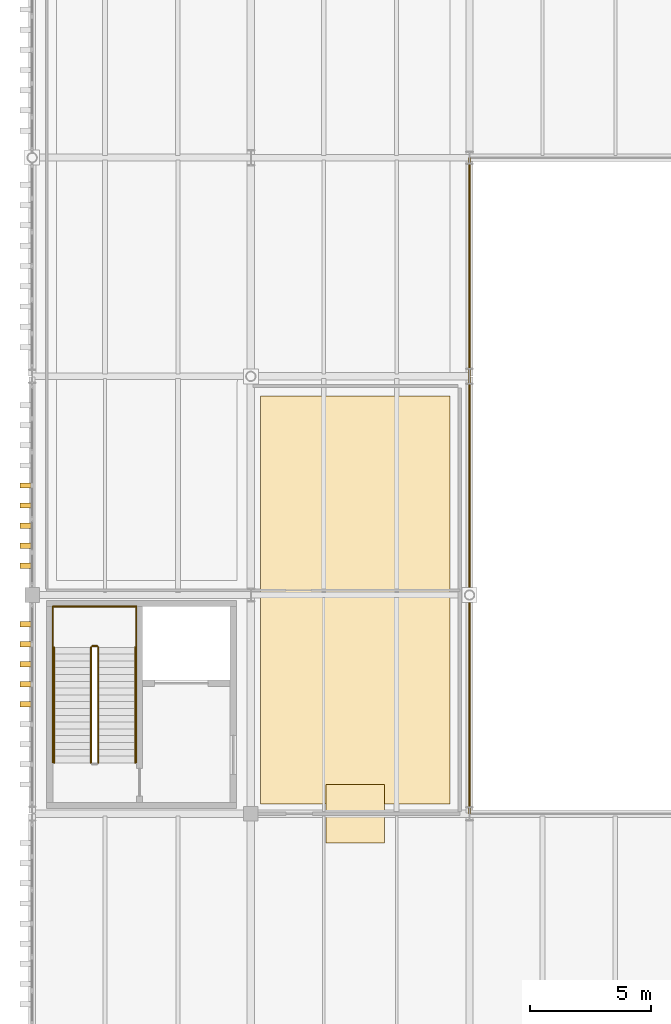
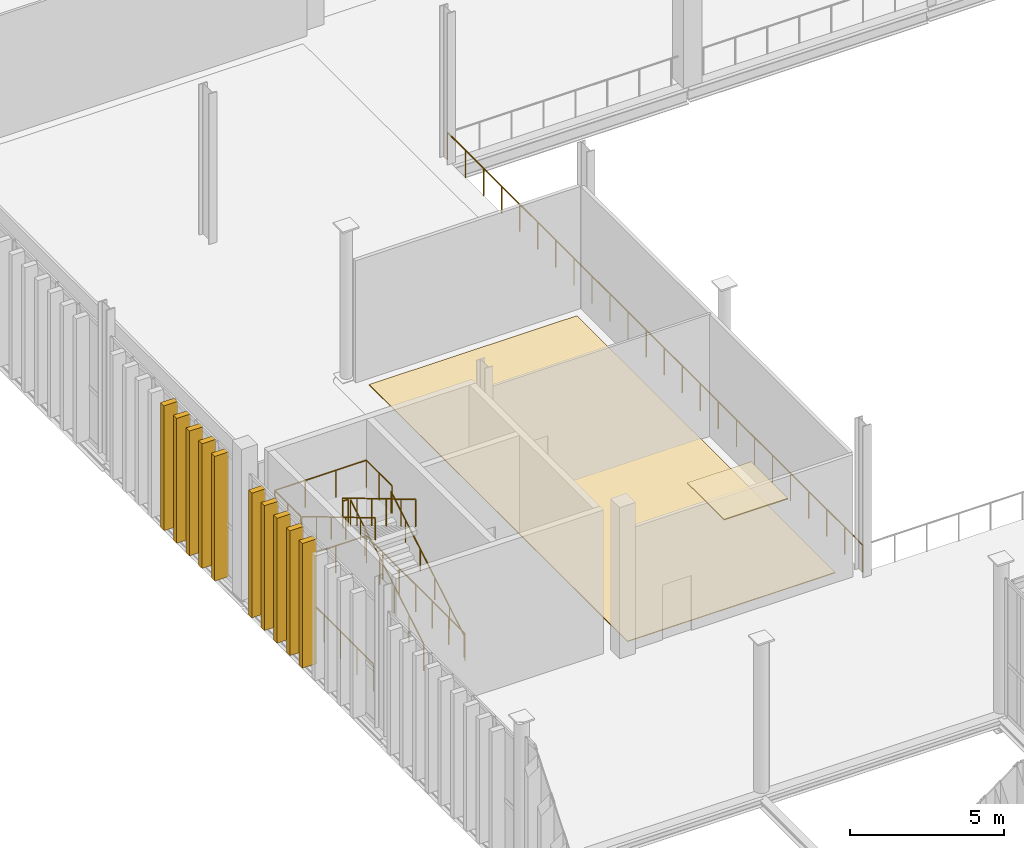
# One storey, part 187 of 211: 12 railings, 10 shading devices, 2 coverings.
"""IFC4 building model written with IfcOpenShell, lengths in metres."""

from ifc_helpers import new_model, si_unit, direction, frame, origin, origin_2d, place, context, subcontext, project, spatial, polyline, rectangle, circle, outline, extrude, material, layer, layer_set, type_object, element, save


model = new_model("IFC4")

# Units and contexts
model_context = context("Model", 3, precision=1e-05, world=origin(), true_north=direction((0.0, 1.0)))
body_context = subcontext(model_context, "Body", "Model", "MODEL_VIEW")
ifc_project = project(units=[si_unit("LENGTHUNIT", "METRE"), si_unit("AREAUNIT", "SQUARE_METRE"), si_unit("VOLUMEUNIT", "CUBIC_METRE"), si_unit("PLANEANGLEUNIT", "RADIAN"), si_unit("MASSUNIT", "GRAM", prefix="KILO")], contexts=[model_context])

# Site, building, storey
site_placement = place(None, origin())
site = spatial("IfcSite", under=ifc_project, at=site_placement, CompositionType="ELEMENT")
building_placement = place(site_placement, origin())
building = spatial("IfcBuilding", under=site, at=building_placement, Name="Barlavento Convention Centre", CompositionType="ELEMENT")
storey_placement = place(building_placement, frame((0.0, 0.0, 6.0)))
storey = spatial("IfcBuildingStorey", under=building, at=storey_placement, Name="L01", CompositionType="ELEMENT", Elevation=6.0)

# Coverings
ifc_material_1 = material(Name="Perforated mineral-fibre acoustic board")
ifc_layer_1 = layer(ifc_material_1, 0.0400390625)
ifc_layer_set_1 = layer_set([ifc_layer_1], Name="ARC-COV-CEIL-ACOU")
covering_type_1 = type_object("IfcCoveringType", Name="ARC-COV-CEIL-ACOU", PredefinedType="CEILING", material=ifc_layer_set_1)
covering_1_placement = place(storey_placement, frame((0.0, 0.0, 4.85009765625)))
element("IfcCovering", 1, at=covering_1_placement, inside=storey, type_object=covering_type_1, Name="L01 acoustic ceiling panel", PredefinedType="CEILING", context=body_context, shape_type="SweptSolid", body=[
    extrude(outline(polyline([(12.10009765625, 16.800048828125), (14.5, 16.800048828125), (14.5, 19.199951171875), (12.10009765625, 19.199951171875), (12.10009765625, 16.800048828125)])), origin(), (0.0, 0.0, 1.0), 0.039794921875),
])
ifc_material_2 = material(Name="Honed granite concourse stone flooring", Category="masonry")
ifc_layer_2 = layer(ifc_material_2, 0.030029296875)
ifc_layer_set_2 = layer_set([ifc_layer_2], Name="ARC-COV-FLR-STONE")
covering_type_2 = type_object("IfcCoveringType", Name="ARC-COV-FLR-STONE", PredefinedType="FLOORING", material=ifc_layer_set_2)
covering_2_placement = place(storey_placement, origin())
element("IfcCovering", 2, at=covering_2_placement, inside=storey, type_object=covering_type_2, Name="L01 honed stone floor finish", PredefinedType="FLOORING", context=body_context, shape_type="SweptSolid", body=[
    extrude(outline(polyline([(17.199951171875, 18.39990234375), (9.39990234375, 18.39990234375), (9.39990234375, 35.199951171875), (17.199951171875, 35.199951171875), (17.199951171875, 18.39990234375)])), origin(), (0.0, 0.0, 1.0), 0.030029296875),
])

# Railings
ifc_material_3 = material(Name="Stainless steel and laminated glass balustrade", Category="steel")
railing_type_1 = type_object("IfcRailingType", Name="ARC-RAL-BAL-1100", PredefinedType="BALUSTRADE", material=ifc_material_3)
railing_1_placement = place(storey_placement, frame((2.719970703125, 20.090087890625, 0.166748046875)))
element("IfcRailing", 3, at=railing_1_placement, inside=storey, type_object=railing_type_1, Name="L01 ST01 stair guard 1", PredefinedType="BALUSTRADE", context=body_context, shape_type="SweptSolid", body=[
    extrude(circle(Radius=0.02392578125, at=origin_2d()), frame((0.0, 0.0, 1.076171875), z_axis=(0.0, 0.859299802514, 0.511472237174), x_axis=(-1.0, 0.0, 0.0)), (0.0, 0.0, 1.0), 5.539306640625),
    extrude(circle(Radius=0.02099609375, at=origin_2d()), origin(), (0.0, 0.0, 1.0), 1.052001953125),
    extrude(circle(Radius=0.02099609375, at=origin_2d()), frame((0.0, 0.951904296875, 0.566650390625)), (0.0, 0.0, 1.0), 1.052001953125),
    extrude(circle(Radius=0.02099609375, at=origin_2d()), frame((0.0, 1.904052734375, 1.13330078125)), (0.0, 0.0, 1.0), 1.052001953125),
    extrude(circle(Radius=0.02099609375, at=origin_2d()), frame((0.0, 2.85595703125, 1.699951171875)), (0.0, 0.0, 1.0), 1.052001953125),
    extrude(circle(Radius=0.02099609375, at=origin_2d()), frame((0.0, 3.80810546875, 2.2666015625)), (0.0, 0.0, 1.0), 1.052001953125),
    extrude(circle(Radius=0.02099609375, at=origin_2d()), frame((0.0, 4.760009765625, 2.833251953125)), (0.0, 0.0, 1.0), 1.052001953125),
])
railing_2_placement = place(storey_placement, frame((2.669921875, 24.89990234375, 3.0)))
element("IfcRailing", 4, at=railing_2_placement, inside=storey, type_object=railing_type_1, Name="L01 ST01 stair guard 2", PredefinedType="BALUSTRADE", context=body_context, shape_type="SweptSolid", body=[
    extrude(circle(Radius=0.02392578125, at=origin_2d()), frame((0.0, 0.0, 1.076171875), z_axis=(-1.0, 0.0, 0.0), x_axis=(0.0, -1.0, 0.0)), (0.0, 0.0, 1.0), 0.199951171875),
    extrude(circle(Radius=0.02099609375, at=origin_2d()), origin(), (0.0, 0.0, 1.0), 1.052001953125),
    extrude(circle(Radius=0.02099609375, at=origin_2d()), frame((-0.199951171875, 0.0, 0.0)), (0.0, 0.0, 1.0), 1.052001953125),
])
railing_3_placement = place(storey_placement, frame((2.419921875, 24.85009765625, 3.166748046875)))
element("IfcRailing", 5, at=railing_3_placement, inside=storey, type_object=railing_type_1, Name="L01 ST01 stair guard 3", PredefinedType="BALUSTRADE", context=body_context, shape_type="SweptSolid", body=[
    extrude(circle(Radius=0.02392578125, at=origin_2d()), frame((0.0, 0.0, 1.076171875), z_axis=(0.0, -0.859299802514, 0.511472237174), x_axis=(1.0, 0.0, 0.0)), (0.0, 0.0, 1.0), 5.539306640625),
    extrude(circle(Radius=0.02099609375, at=origin_2d()), origin(), (0.0, 0.0, 1.0), 1.052001953125),
    extrude(circle(Radius=0.02099609375, at=origin_2d()), frame((0.0, -0.951904296875, 0.566650390625)), (0.0, 0.0, 1.0), 1.052001953125),
    extrude(circle(Radius=0.02099609375, at=origin_2d()), frame((0.0, -1.904052734375, 1.13330078125)), (0.0, 0.0, 1.0), 1.052001953125),
    extrude(circle(Radius=0.02099609375, at=origin_2d()), frame((0.0, -2.85595703125, 1.699951171875)), (0.0, 0.0, 1.0), 1.052001953125),
    extrude(circle(Radius=0.02099609375, at=origin_2d()), frame((0.0, -3.80810546875, 2.2666015625)), (0.0, 0.0, 1.0), 1.052001953125),
    extrude(circle(Radius=0.02099609375, at=origin_2d()), frame((0.0, -4.760009765625, 2.833251953125)), (0.0, 0.0, 1.0), 1.052001953125),
])
for number, where, name in (
    (6, (4.2900390625, 24.85009765625, 3.0), "L01 landing guard GR01"),
    (7, (0.85009765625, 24.85009765625, 3.0), "L01 landing guard GR01"),
):
    element("IfcRailing", number, at=place(storey_placement, frame(where)), inside=storey, type_object=railing_type_1, Name=name, PredefinedType="BALUSTRADE", context=body_context, shape_type="SweptSolid", body=[
        extrude(circle(Radius=0.02392578125, at=origin_2d()), frame((0.0, 0.0, 1.076171875), z_axis=(0.0, 1.0, 0.0), x_axis=(-1.0, 0.0, 0.0)), (0.0, 0.0, 1.0), 1.679931640625),
        extrude(circle(Radius=0.02099609375, at=origin_2d()), origin(), (0.0, 0.0, 1.0), 1.052001953125),
        extrude(circle(Radius=0.02099609375, at=origin_2d()), frame((0.0, 0.83984375, 0.0)), (0.0, 0.0, 1.0), 1.052001953125),
        extrude(circle(Radius=0.02099609375, at=origin_2d()), frame((0.0, 1.679931640625, 0.0)), (0.0, 0.0, 1.0), 1.052001953125),
    ])
railing_4_placement = place(storey_placement, frame((4.2900390625, 26.530029296875, 3.0)))
element("IfcRailing", 8, at=railing_4_placement, inside=storey, type_object=railing_type_1, Name="L01 landing guard GR01", PredefinedType="BALUSTRADE", context=body_context, shape_type="SweptSolid", body=[
    extrude(circle(Radius=0.02392578125, at=origin_2d()), frame((0.0, 0.0, 1.076171875), z_axis=(-1.0, 0.0, 0.0), x_axis=(0.0, -1.0, 0.0)), (0.0, 0.0, 1.0), 3.43994140625),
    extrude(circle(Radius=0.02099609375, at=origin_2d()), origin(), (0.0, 0.0, 1.0), 1.052001953125),
    extrude(circle(Radius=0.02099609375, at=origin_2d()), frame((-1.146728515625, 0.0, 0.0)), (0.0, 0.0, 1.0), 1.052001953125),
    extrude(circle(Radius=0.02099609375, at=origin_2d()), frame((-2.293212890625, 0.0, 0.0)), (0.0, 0.0, 1.0), 1.052001953125),
    extrude(circle(Radius=0.02099609375, at=origin_2d()), frame((-3.43994140625, 0.0, 0.0)), (0.0, 0.0, 1.0), 1.052001953125),
])
railing_5_placement = place(storey_placement, frame((4.2900390625, 20.114990234375, 0.0)))
element("IfcRailing", 9, at=railing_5_placement, inside=storey, type_object=railing_type_1, Name="L01 stairwell perimeter guard GR01", PredefinedType="BALUSTRADE", context=body_context, shape_type="SweptSolid", body=[
    extrude(circle(Radius=0.02392578125, at=origin_2d()), frame((0.0, 0.0, 1.076171875), z_axis=(0.0, 1.0, 0.0), x_axis=(-1.0, 0.0, 0.0)), (0.0, 0.0, 1.0), 6.4150390625),
    extrude(circle(Radius=0.02099609375, at=origin_2d()), origin(), (0.0, 0.0, 1.0), 1.052001953125),
    extrude(circle(Radius=0.02099609375, at=origin_2d()), frame((0.0, 1.069091796875, 0.0)), (0.0, 0.0, 1.0), 1.052001953125),
    extrude(circle(Radius=0.02099609375, at=origin_2d()), frame((0.0, 2.138427734375, 0.0)), (0.0, 0.0, 1.0), 1.052001953125),
    extrude(circle(Radius=0.02099609375, at=origin_2d()), frame((0.0, 3.20751953125, 0.0)), (0.0, 0.0, 1.0), 1.052001953125),
    extrude(circle(Radius=0.02099609375, at=origin_2d()), frame((0.0, 4.276611328125, 0.0)), (0.0, 0.0, 1.0), 1.052001953125),
    extrude(circle(Radius=0.02099609375, at=origin_2d()), frame((0.0, 5.345947265625, 0.0)), (0.0, 0.0, 1.0), 1.052001953125),
    extrude(circle(Radius=0.02099609375, at=origin_2d()), frame((0.0, 6.4150390625, 0.0)), (0.0, 0.0, 1.0), 1.052001953125),
])
railing_6_placement = place(storey_placement, frame((4.2900390625, 26.530029296875, 0.0)))
element("IfcRailing", 10, at=railing_6_placement, inside=storey, type_object=railing_type_1, Name="L01 stairwell perimeter guard GR01", PredefinedType="BALUSTRADE", context=body_context, shape_type="SweptSolid", body=[
    extrude(circle(Radius=0.02392578125, at=origin_2d()), frame((0.0, 0.0, 1.076171875), z_axis=(-1.0, 0.0, 0.0), x_axis=(0.0, -1.0, 0.0)), (0.0, 0.0, 1.0), 3.43994140625),
    extrude(circle(Radius=0.02099609375, at=origin_2d()), origin(), (0.0, 0.0, 1.0), 1.052001953125),
    extrude(circle(Radius=0.02099609375, at=origin_2d()), frame((-1.146728515625, 0.0, 0.0)), (0.0, 0.0, 1.0), 1.052001953125),
    extrude(circle(Radius=0.02099609375, at=origin_2d()), frame((-2.293212890625, 0.0, 0.0)), (0.0, 0.0, 1.0), 1.052001953125),
    extrude(circle(Radius=0.02099609375, at=origin_2d()), frame((-3.43994140625, 0.0, 0.0)), (0.0, 0.0, 1.0), 1.052001953125),
])
railing_7_placement = place(storey_placement, frame((0.85009765625, 26.530029296875, 0.0)))
element("IfcRailing", 11, at=railing_7_placement, inside=storey, type_object=railing_type_1, Name="L01 stairwell perimeter guard GR01", PredefinedType="BALUSTRADE", context=body_context, shape_type="SweptSolid", body=[
    extrude(circle(Radius=0.02392578125, at=origin_2d()), frame((0.0, 0.0, 1.076171875), z_axis=(0.0, -1.0, 0.0), x_axis=(1.0, 0.0, 0.0)), (0.0, 0.0, 1.0), 6.4150390625),
    extrude(circle(Radius=0.02099609375, at=origin_2d()), origin(), (0.0, 0.0, 1.0), 1.052001953125),
    extrude(circle(Radius=0.02099609375, at=origin_2d()), frame((0.0, -1.069091796875, 0.0)), (0.0, 0.0, 1.0), 1.052001953125),
    extrude(circle(Radius=0.02099609375, at=origin_2d()), frame((0.0, -2.138427734375, 0.0)), (0.0, 0.0, 1.0), 1.052001953125),
    extrude(circle(Radius=0.02099609375, at=origin_2d()), frame((0.0, -3.20751953125, 0.0)), (0.0, 0.0, 1.0), 1.052001953125),
    extrude(circle(Radius=0.02099609375, at=origin_2d()), frame((0.0, -4.276611328125, 0.0)), (0.0, 0.0, 1.0), 1.052001953125),
    extrude(circle(Radius=0.02099609375, at=origin_2d()), frame((0.0, -5.345947265625, 0.0)), (0.0, 0.0, 1.0), 1.052001953125),
    extrude(circle(Radius=0.02099609375, at=origin_2d()), frame((0.0, -6.4150390625, 0.0)), (0.0, 0.0, 1.0), 1.052001953125),
])
railing_8_placement = place(storey_placement, frame((18.0, 45.0, 0.0)))
element("IfcRailing", 12, at=railing_8_placement, inside=storey, type_object=railing_type_1, Name="L01 interior atrium or gallery balustrade GR01", PredefinedType="BALUSTRADE", context=body_context, shape_type="SweptSolid", body=[
    extrude(circle(Radius=0.02392578125, at=origin_2d()), frame((0.0, 0.0, 1.076171875), z_axis=(0.0, -1.0, 0.0), x_axis=(1.0, 0.0, 0.0)), (0.0, 0.0, 1.0), 27.0),
    extrude(circle(Radius=0.02099609375, at=origin_2d()), origin(), (0.0, 0.0, 1.0), 1.052001953125),
    extrude(circle(Radius=0.02099609375, at=origin_2d()), frame((0.0, -1.173828125, 0.0)), (0.0, 0.0, 1.0), 1.052001953125),
    extrude(circle(Radius=0.02099609375, at=origin_2d()), frame((0.0, -2.347900390625, 0.0)), (0.0, 0.0, 1.0), 1.052001953125),
    extrude(circle(Radius=0.02099609375, at=origin_2d()), frame((0.0, -3.521728515625, 0.0)), (0.0, 0.0, 1.0), 1.052001953125),
    extrude(circle(Radius=0.02099609375, at=origin_2d()), frame((0.0, -4.695556640625, 0.0)), (0.0, 0.0, 1.0), 1.052001953125),
    extrude(circle(Radius=0.02099609375, at=origin_2d()), frame((0.0, -5.86962890625, 0.0)), (0.0, 0.0, 1.0), 1.052001953125),
    extrude(circle(Radius=0.02099609375, at=origin_2d()), frame((0.0, -7.04345703125, 0.0)), (0.0, 0.0, 1.0), 1.052001953125),
    extrude(circle(Radius=0.02099609375, at=origin_2d()), frame((0.0, -8.21728515625, 0.0)), (0.0, 0.0, 1.0), 1.052001953125),
    extrude(circle(Radius=0.02099609375, at=origin_2d()), frame((0.0, -9.391357421875, 0.0)), (0.0, 0.0, 1.0), 1.052001953125),
    extrude(circle(Radius=0.02099609375, at=origin_2d()), frame((0.0, -10.565185546875, 0.0)), (0.0, 0.0, 1.0), 1.052001953125),
    extrude(circle(Radius=0.02099609375, at=origin_2d()), frame((0.0, -11.739013671875, 0.0)), (0.0, 0.0, 1.0), 1.052001953125),
    extrude(circle(Radius=0.02099609375, at=origin_2d()), frame((0.0, -12.9130859375, 0.0)), (0.0, 0.0, 1.0), 1.052001953125),
    extrude(circle(Radius=0.02099609375, at=origin_2d()), frame((0.0, -14.0869140625, 0.0)), (0.0, 0.0, 1.0), 1.052001953125),
    extrude(circle(Radius=0.02099609375, at=origin_2d()), frame((0.0, -15.260986328125, 0.0)), (0.0, 0.0, 1.0), 1.052001953125),
    extrude(circle(Radius=0.02099609375, at=origin_2d()), frame((0.0, -16.434814453125, 0.0)), (0.0, 0.0, 1.0), 1.052001953125),
    extrude(circle(Radius=0.02099609375, at=origin_2d()), frame((0.0, -17.608642578125, 0.0)), (0.0, 0.0, 1.0), 1.052001953125),
    extrude(circle(Radius=0.02099609375, at=origin_2d()), frame((0.0, -18.78271484375, 0.0)), (0.0, 0.0, 1.0), 1.052001953125),
    extrude(circle(Radius=0.02099609375, at=origin_2d()), frame((0.0, -19.95654296875, 0.0)), (0.0, 0.0, 1.0), 1.052001953125),
    extrude(circle(Radius=0.02099609375, at=origin_2d()), frame((0.0, -21.13037109375, 0.0)), (0.0, 0.0, 1.0), 1.052001953125),
    extrude(circle(Radius=0.02099609375, at=origin_2d()), frame((0.0, -22.304443359375, 0.0)), (0.0, 0.0, 1.0), 1.052001953125),
    extrude(circle(Radius=0.02099609375, at=origin_2d()), frame((0.0, -23.478271484375, 0.0)), (0.0, 0.0, 1.0), 1.052001953125),
    extrude(circle(Radius=0.02099609375, at=origin_2d()), frame((0.0, -24.652099609375, 0.0)), (0.0, 0.0, 1.0), 1.052001953125),
    extrude(circle(Radius=0.02099609375, at=origin_2d()), frame((0.0, -25.826171875, 0.0)), (0.0, 0.0, 1.0), 1.052001953125),
    extrude(circle(Radius=0.02099609375, at=origin_2d()), frame((0.0, -27.0, 0.0)), (0.0, 0.0, 1.0), 1.052001953125),
])
ifc_material_4 = material(Name="Brushed stainless steel tubular handrail", Category="steel")
railing_type_2 = type_object("IfcRailingType", Name="ARC-RAL-HR-900", PredefinedType="HANDRAIL", material=ifc_material_4)
railing_9_placement = place(storey_placement, frame((4.239990234375, 20.090087890625, 0.166748046875)))
element("IfcRailing", 13, at=railing_9_placement, inside=storey, type_object=railing_type_2, Name="L01 ST01 stair handrail 1", PredefinedType="HANDRAIL", context=body_context, shape_type="SweptSolid", body=[
    extrude(circle(Radius=0.02392578125, at=origin_2d()), frame((0.0, 0.0, 0.8759765625), z_axis=(0.0, 0.859299802514, 0.511472237174), x_axis=(-1.0, 0.0, 0.0)), (0.0, 0.0, 1.0), 5.539306640625),
    extrude(circle(Radius=0.02099609375, at=origin_2d()), origin(), (0.0, 0.0, 1.0), 0.851806640625),
    extrude(circle(Radius=0.02099609375, at=origin_2d()), frame((0.0, 0.951904296875, 0.566650390625)), (0.0, 0.0, 1.0), 0.851806640625),
    extrude(circle(Radius=0.02099609375, at=origin_2d()), frame((0.0, 1.904052734375, 1.13330078125)), (0.0, 0.0, 1.0), 0.851806640625),
    extrude(circle(Radius=0.02099609375, at=origin_2d()), frame((0.0, 2.85595703125, 1.699951171875)), (0.0, 0.0, 1.0), 0.851806640625),
    extrude(circle(Radius=0.02099609375, at=origin_2d()), frame((0.0, 3.80810546875, 2.2666015625)), (0.0, 0.0, 1.0), 0.851806640625),
    extrude(circle(Radius=0.02099609375, at=origin_2d()), frame((0.0, 4.760009765625, 2.833251953125)), (0.0, 0.0, 1.0), 0.851806640625),
])
railing_10_placement = place(storey_placement, frame((0.89990234375, 24.85009765625, 3.166748046875)))
element("IfcRailing", 14, at=railing_10_placement, inside=storey, type_object=railing_type_2, Name="L01 ST01 stair handrail 2", PredefinedType="HANDRAIL", context=body_context, shape_type="SweptSolid", body=[
    extrude(circle(Radius=0.02392578125, at=origin_2d()), frame((0.0, 0.0, 0.8759765625), z_axis=(0.0, -0.859299802514, 0.511472237174), x_axis=(1.0, 0.0, 0.0)), (0.0, 0.0, 1.0), 5.539306640625),
    extrude(circle(Radius=0.02099609375, at=origin_2d()), origin(), (0.0, 0.0, 1.0), 0.851806640625),
    extrude(circle(Radius=0.02099609375, at=origin_2d()), frame((0.0, -0.951904296875, 0.566650390625)), (0.0, 0.0, 1.0), 0.851806640625),
    extrude(circle(Radius=0.02099609375, at=origin_2d()), frame((0.0, -1.904052734375, 1.13330078125)), (0.0, 0.0, 1.0), 0.851806640625),
    extrude(circle(Radius=0.02099609375, at=origin_2d()), frame((0.0, -2.85595703125, 1.699951171875)), (0.0, 0.0, 1.0), 0.851806640625),
    extrude(circle(Radius=0.02099609375, at=origin_2d()), frame((0.0, -3.80810546875, 2.2666015625)), (0.0, 0.0, 1.0), 0.851806640625),
    extrude(circle(Radius=0.02099609375, at=origin_2d()), frame((0.0, -4.760009765625, 2.833251953125)), (0.0, 0.0, 1.0), 0.851806640625),
])

# Shading devices
ifc_material_5 = material(Name="PVDF white extruded aluminium", Category="aluminium")
shading_device_type = type_object("IfcShadingDeviceType", Name="ARC-SHD-FIN-480", PredefinedType="USERDEFINED", material=ifc_material_5)
for number, where, z_axis, x_axis, name in (
    (15, (-0.239990234375, 22.5, 0.0), (0.0, 0.0, 1.0), (0.0, 1.0, 0.0), "White vertical solar shading fin VF01"),
    (16, (-0.239990234375, 23.323974609375, 0.0), (0.0, 0.0, 1.0), (0.0, 1.0, 0.0), "White vertical solar shading fin VF01"),
    (17, (-0.239990234375, 24.14794921875, 0.0), (0.0, 0.0, 1.0), (0.0, 1.0, 0.0), "White vertical solar shading fin VF01"),
    (18, (-0.239990234375, 24.971923828125, 0.0), (0.0, 0.0, 1.0), (0.0, 1.0, 0.0), "White vertical solar shading fin VF01"),
    (19, (-0.239990234375, 25.7958984375, 0.0), (0.0, 0.0, 1.0), (0.0, 1.0, 0.0), "White vertical solar shading fin VF01"),
    (20, (-0.239990234375, 28.205322265625, 0.0), (0.0, 0.0, 1.0), (0.0, 1.0, 0.0), "White vertical solar shading fin VF01"),
    (21, (-0.239990234375, 29.03076171875, 0.0), (0.0, 0.0, 1.0), (0.0, 1.0, 0.0), "White vertical solar shading fin VF01"),
    (22, (-0.239990234375, 29.856201171875, 0.0), (0.0, 0.0, 1.0), (0.0, 1.0, 0.0), "White vertical solar shading fin VF01"),
    (23, (-0.239990234375, 30.681640625, 0.0), (0.0, 0.0, 1.0), (0.0, 1.0, 0.0), "White vertical solar shading fin VF01"),
    (24, (-0.239990234375, 31.507080078125, 0.0), (0.0, 0.0, 1.0), (0.0, 1.0, 0.0), "White vertical solar shading fin VF01"),
):
    element("IfcShadingDevice", number, at=place(storey_placement, frame(where, z_axis=z_axis, x_axis=x_axis)), inside=storey, type_object=shading_device_type, Name=name, ObjectType="FIN", PredefinedType="USERDEFINED", context=body_context, shape_type="SweptSolid", body=[
        extrude(rectangle(XDim=0.219970703125, YDim=0.52001953125, at=origin_2d()), origin(), (0.0, 0.0, 1.0), 4.949951171875),
    ])

save(model, "model.ifc")
